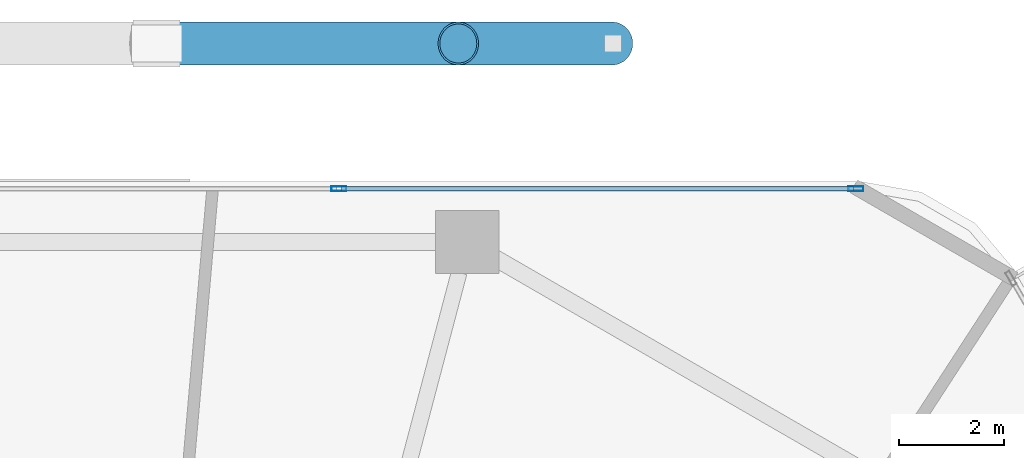
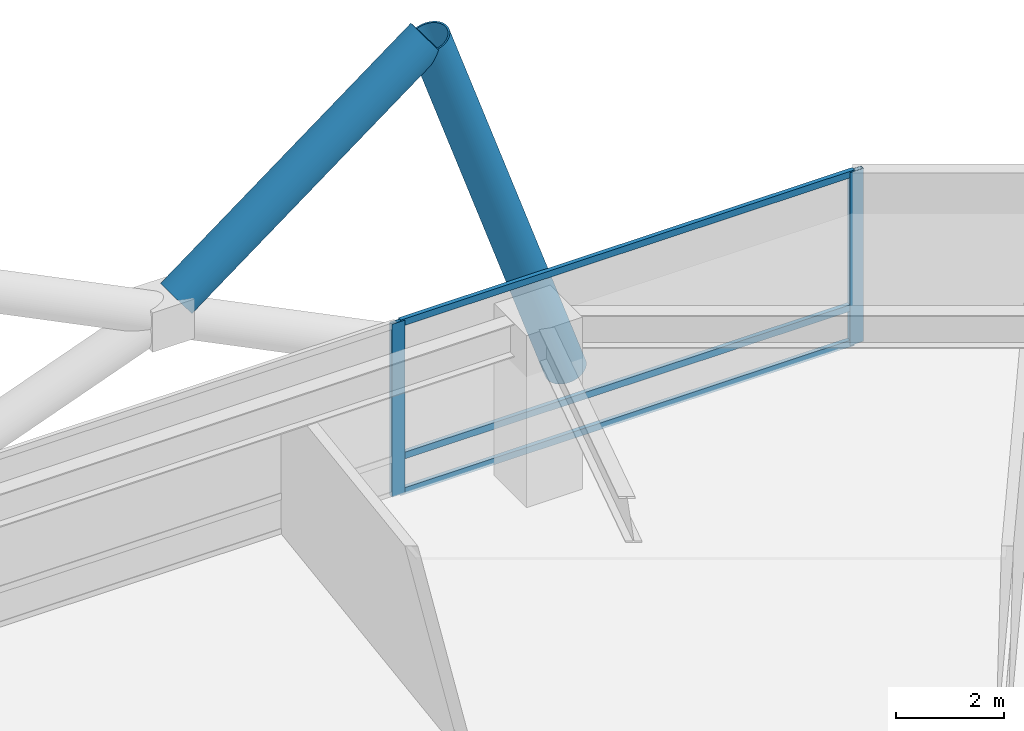
# One storey, part 21 of 31: 7 members, 1 element without a shape of its own.
"""IFC4 building model written with IfcOpenShell, lengths in metres."""

from ifc_helpers import new_model, si_unit, direction, frame, origin, origin_2d, place, context, subcontext, project, spatial, hollow_rectangle, hollow_circle, extrude, material, material_profile, profile_set, type_object, element, aggregate, save


model = new_model("IFC4")

# Units and contexts
model_context = context("Model", 3, precision=1e-05, world=origin(), true_north=direction((0.0, 1.0)))
body_context = subcontext(model_context, "Body", "Model", "MODEL_VIEW")
ifc_project = project(units=[si_unit("LENGTHUNIT", "METRE"), si_unit("AREAUNIT", "SQUARE_METRE"), si_unit("VOLUMEUNIT", "CUBIC_METRE"), si_unit("PLANEANGLEUNIT", "RADIAN"), si_unit("MASSUNIT", "GRAM", prefix="KILO")], contexts=[model_context])

# Site, building, storey
site_placement = place(None, origin())
site = spatial("IfcSite", under=ifc_project, at=site_placement, CompositionType="ELEMENT")
building_placement = place(site_placement, origin())
building = spatial("IfcBuilding", under=site, at=building_placement, Name="Zuhravey Tower", CompositionType="ELEMENT")
storey_placement = place(building_placement, frame((0.0, 0.0, 7.800048828125)))
storey = spatial("IfcBuildingStorey", under=building, at=storey_placement, Name="L02", CompositionType="ELEMENT", Elevation=7.800048828125)

# Curtain wall, members
ifc_material_1 = material(Name="Thermally broken anodised aluminium", Category="aluminium")
curtain_wall_type = type_object("IfcCurtainWallType", Name="School Low-E Unitised Curtain Wall CW1", PredefinedType="NOTDEFINED", material=ifc_material_1)
curtain_wall_placement = place(storey_placement, origin())
curtain_wall = element("IfcCurtainWall", 1, at=curtain_wall_placement, inside=storey, type_object=curtain_wall_type, Name="L02 CW1 CW-L02-F2-1", PredefinedType="NOTDEFINED")
ifc_material_2 = material(Name="Anodised aluminium", Category="aluminium")
ifc_material_profile_1 = material_profile(ifc_material_2, hollow_rectangle(XDim=0.090087890625, YDim=0.284912109375, WallThickness=0.0048828125, at=origin_2d()), Name="ALU-RHS-90x285x5")
ifc_profile_set_1 = profile_set([ifc_material_profile_1], Name="Anodised aluminium")
member_type_1 = type_object("IfcMemberType", Name="Curtain-Wall Mullion 90x180", PredefinedType="MULLION", material=ifc_profile_set_1)
member_1_placement = place(storey_placement, frame((40.93310546875, 60.95849609375, 0.0), z_axis=(0.0, 0.0, 1.0), x_axis=(0.0, 1.0, 0.0)))
member_1 = element("IfcMember", 2, at=member_1_placement, type_object=member_type_1, Name="CW1 mullion 3", PredefinedType="MULLION", context=body_context, shape_type="SweptSolid", body=[
    extrude(hollow_rectangle(XDim=0.090087890625, YDim=0.284912109375, WallThickness=0.0048828125, at=origin_2d()), origin(), (0.0, 0.0, 1.0), 3.919921875),
])
member_2_placement = place(storey_placement, frame((50.75439453125, 60.95849609375, 0.0), z_axis=(0.0, 0.0, 1.0), x_axis=(0.0, 1.0, 0.0)))
member_2 = element("IfcMember", 3, at=member_2_placement, type_object=member_type_1, Name="CW1 mullion 4", PredefinedType="MULLION", context=body_context, shape_type="SweptSolid", body=[
    extrude(hollow_rectangle(XDim=0.090087890625, YDim=0.284912109375, WallThickness=0.0048828125, at=origin_2d()), origin(), (0.0, 0.0, 1.0), 3.919921875),
])
ifc_material_profile_2 = material_profile(ifc_material_2, hollow_rectangle(XDim=0.090087890625, YDim=0.14990234375, WallThickness=0.0048828125, at=origin_2d()), Name="ALU-RHS-90x150x5")
ifc_profile_set_2 = profile_set([ifc_material_profile_2], Name="Anodised aluminium")
member_type_2 = type_object("IfcMemberType", Name="Curtain-Wall Transom 90x150", PredefinedType="USERDEFINED", material=ifc_profile_set_2)
member_3_placement = place(storey_placement, frame((40.978271484375, 60.95849609375, 0.044921875), z_axis=(1.0, 0.0, 0.0), x_axis=(0.0, 1.0, 0.0)))
member_3 = element("IfcMember", 4, at=member_3_placement, type_object=member_type_2, Name="CW1 transom 3.1", ObjectType="TRANSOM", PredefinedType="USERDEFINED", context=body_context, shape_type="SweptSolid", body=[
    extrude(hollow_rectangle(XDim=0.090087890625, YDim=0.14990234375, WallThickness=0.0048828125, at=origin_2d()), origin(), (0.0, 0.0, 1.0), 9.731201171875),
])
member_4_placement = place(storey_placement, frame((40.978271484375, 60.95849609375, 0.849853515625), z_axis=(1.0, 0.0, 0.0), x_axis=(0.0, 1.0, 0.0)))
member_4 = element("IfcMember", 5, at=member_4_placement, type_object=member_type_2, Name="CW1 transom 3.2", ObjectType="TRANSOM", PredefinedType="USERDEFINED", context=body_context, shape_type="SweptSolid", body=[
    extrude(hollow_rectangle(XDim=0.090087890625, YDim=0.14990234375, WallThickness=0.0048828125, at=origin_2d()), origin(), (0.0, 0.0, 1.0), 9.731201171875),
])
member_5_placement = place(storey_placement, frame((40.978271484375, 60.95849609375, 3.875), z_axis=(1.0, 0.0, 0.0), x_axis=(0.0, 1.0, 0.0)))
member_5 = element("IfcMember", 6, at=member_5_placement, type_object=member_type_2, Name="CW1 transom 3.3", ObjectType="TRANSOM", PredefinedType="USERDEFINED", context=body_context, shape_type="SweptSolid", body=[
    extrude(hollow_rectangle(XDim=0.090087890625, YDim=0.14990234375, WallThickness=0.0048828125, at=origin_2d()), origin(), (0.0, 0.0, 1.0), 9.731201171875),
])
aggregate(curtain_wall, [member_1, member_2, member_3, member_4, member_5])

# Members
ifc_material_3 = material(Name="Steel SM460", Category="steel")
ifc_material_profile_3 = material_profile(ifc_material_3, hollow_circle(Radius=0.406494140625, WallThickness=0.035888671875, at=origin_2d()), Name="CHS-812.8x36")
ifc_profile_set_3 = profile_set([ifc_material_profile_3], Name="Steel SM460")
member_type_3 = type_object("IfcMemberType", Name="Exoskeleton Zone 1 Diagrid CHS813x36", PredefinedType="BRACE", material=ifc_profile_set_3)
member_6_placement = place(storey_placement, frame((46.129150390625, 63.718505859375, -0.64208984375), z_axis=(-0.324770185751, 0.0, 0.945792961724), x_axis=(0.0, -1.0, 0.0)))
element("IfcMember", 7, at=member_6_placement, inside=storey, type_object=member_type_3, Name="L02 Face 2 Diagrid Brace 1", PredefinedType="BRACE", context=body_context, shape_type="SweptSolid", body=[
    extrude(hollow_circle(Radius=0.406494140625, WallThickness=0.035888671875, at=origin_2d()), origin(), (0.0, 0.0, 1.0), 9.014892578125),
])
member_7_placement = place(storey_placement, frame((37.788818359375, 63.718505859375, 3.858642578125), z_axis=(0.800454342219, 0.0, 0.599393732051), x_axis=(0.0, 1.0, 0.0)))
element("IfcMember", 8, at=member_7_placement, inside=storey, type_object=member_type_3, Name="L02 Face 2 Split Diagrid Brace 3B", PredefinedType="BRACE", context=body_context, shape_type="SweptSolid", body=[
    extrude(hollow_circle(Radius=0.406494140625, WallThickness=0.035888671875, at=origin_2d()), origin(), (0.0, 0.0, 1.0), 6.70263671875),
])

save(model, "model.ifc")
